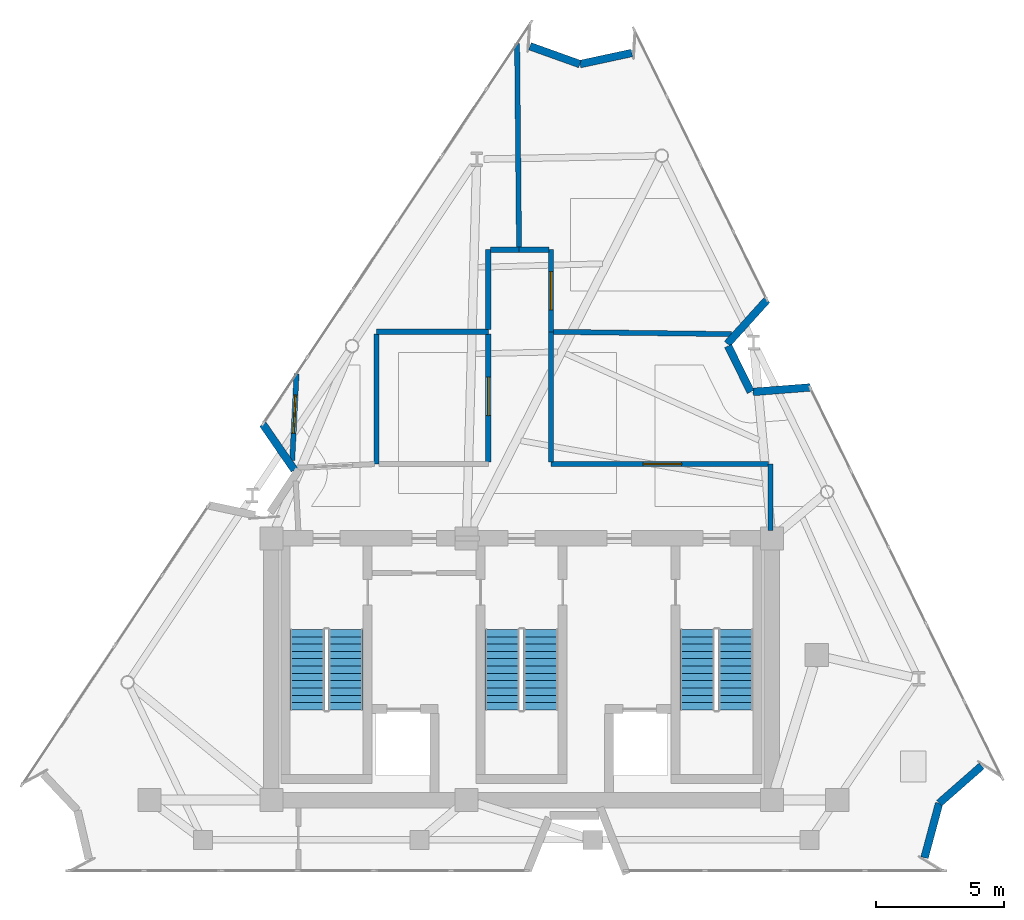
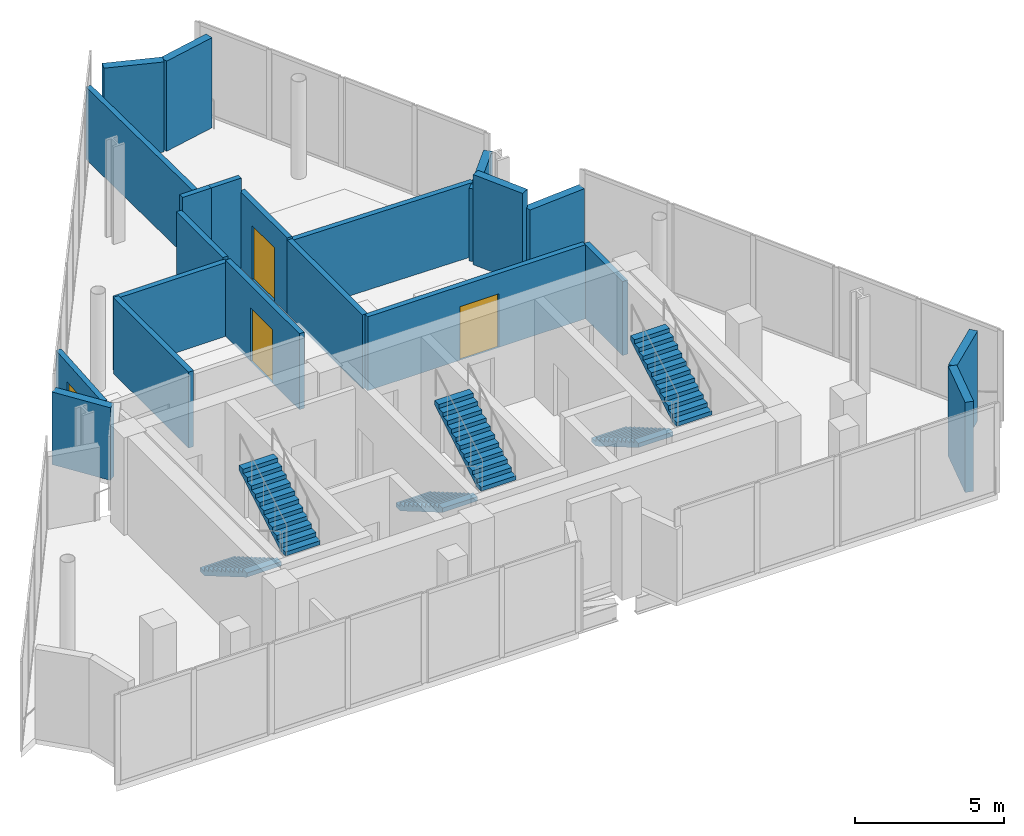
# One storey, part 7 of 9: 21 walls, 6 stair flights, 4 doors, 4 openings, 3 elements without a shape of their own.
"""IFC4 building model written with IfcOpenShell, lengths in metres."""

from ifc_helpers import new_model, si_unit, direction, frame, frame_2d, origin, place, context, subcontext, project, spatial, polyline, rectangle, outline, extrude, material, layer, layer_set, type_object, element, fill, aggregate, save


model = new_model("IFC4")

# Units and contexts
model_context = context("Model", 3, precision=1e-05, world=origin(), true_north=direction((0.0, 1.0)))
body_context = subcontext(model_context, "Body", "Model", "MODEL_VIEW")
ifc_project = project(units=[si_unit("LENGTHUNIT", "METRE"), si_unit("AREAUNIT", "SQUARE_METRE"), si_unit("VOLUMEUNIT", "CUBIC_METRE"), si_unit("PLANEANGLEUNIT", "RADIAN"), si_unit("MASSUNIT", "GRAM", prefix="KILO")], contexts=[model_context])

# Site, building, storey
site_placement = place(None, origin())
site = spatial("IfcSite", under=ifc_project, at=site_placement, CompositionType="ELEMENT")
building_placement = place(site_placement, origin())
building = spatial("IfcBuilding", under=site, at=building_placement, Name="Almagre Mirador Tower", CompositionType="ELEMENT")
storey_placement = place(building_placement, frame((0.0, 0.0, 302.5)))
storey = spatial("IfcBuildingStorey", under=building, at=storey_placement, Name="L78", CompositionType="ELEMENT", Elevation=302.5)

# Walls
ifc_material_1 = material(Name="Precast concrete C50/60", Category="concrete")
ifc_layer_1 = layer(ifc_material_1, 0.300048828125)
ifc_layer_set_1 = layer_set([ifc_layer_1], Name="Precast concrete C50/60")
wall_type_1 = type_object("IfcWallType", Name="WAL-EXT-300", PredefinedType="SOLIDWALL", material=ifc_layer_set_1)
wall_1_placement = place(storey_placement, frame((28.448486328125, 17.4140625, 0.0), z_axis=(0.0, 0.0, 1.0), x_axis=(-0.56781706626, 0.823154772363, 0.0)))
element("IfcWall", 1, at=wall_1_placement, inside=storey, type_object=wall_type_1, Name="L78 expressed almagre precast frame wall 03", PredefinedType="SOLIDWALL", context=body_context, shape_type="SweptSolid", body=[
    extrude(rectangle(XDim=2.17041015625, YDim=0.300048828125, at=frame_2d((1.085205078125, 0.0))), origin(), (0.0, 0.0, 1.0), 2.98193359375),
])
wall_2_placement = place(storey_placement, frame((37.6240234375, 33.927490234375, 0.0), z_axis=(0.0, 0.0, 1.0), x_axis=(0.941672407687, -0.336530944493, 0.0)))
element("IfcWall", 2, at=wall_2_placement, inside=storey, type_object=wall_type_1, Name="L78 expressed almagre precast frame wall 04", PredefinedType="SOLIDWALL", context=body_context, shape_type="SweptSolid", body=[
    extrude(rectangle(XDim=2.06689453125, YDim=0.300048828125, at=frame_2d((1.033447265625, 0.0))), origin(), (0.0, 0.0, 1.0), 3.699951171875),
])
wall_3_placement = place(storey_placement, frame((39.57568359375, 33.231689453125, 0.0), z_axis=(0.0, 0.0, 1.0), x_axis=(0.977608338725, 0.210432735227, 0.0)))
element("IfcWall", 3, at=wall_3_placement, inside=storey, type_object=wall_type_1, Name="L78 expressed almagre precast frame wall 05", PredefinedType="SOLIDWALL", context=body_context, shape_type="SweptSolid", body=[
    extrude(rectangle(XDim=2.06640625, YDim=0.300048828125, at=frame_2d((1.033203125, 0.0))), origin(), (0.0, 0.0, 1.0), 3.699951171875),
])
wall_4_placement = place(storey_placement, frame((46.86181640625, 24.042724609375, 0.0), z_axis=(0.0, 0.0, 1.0), x_axis=(-0.670758100891, -0.741676189512, 0.0)))
element("IfcWall", 4, at=wall_4_placement, inside=storey, type_object=wall_type_1, Name="L78 expressed almagre precast frame wall 06", PredefinedType="SOLIDWALL", context=body_context, shape_type="SweptSolid", body=[
    extrude(rectangle(XDim=2.306640625, YDim=0.300048828125, at=frame_2d((1.1533203125, 0.0))), origin(), (0.0, 0.0, 1.0), 2.98193359375),
])
wall_5_placement = place(storey_placement, frame((45.346923828125, 22.251708984375, 0.0), z_axis=(0.0, 0.0, 1.0), x_axis=(0.441098850586, -0.897458524954, 0.0)))
element("IfcWall", 5, at=wall_5_placement, inside=storey, type_object=wall_type_1, Name="L78 expressed almagre precast frame wall 07", PredefinedType="SOLIDWALL", context=body_context, shape_type="SweptSolid", body=[
    extrude(rectangle(XDim=1.999755859375, YDim=0.300048828125, at=frame_2d((1.0, 0.0))), origin(), (0.0, 0.0, 1.0), 3.699951171875),
])
wall_6_placement = place(storey_placement, frame((46.318603515625, 20.457763671875, 0.0), z_axis=(0.0, 0.0, 1.0), x_axis=(0.996897695967, 0.078708219233, 0.0)))
element("IfcWall", 6, at=wall_6_placement, inside=storey, type_object=wall_type_1, Name="L78 expressed almagre precast frame wall 08", PredefinedType="SOLIDWALL", context=body_context, shape_type="SweptSolid", body=[
    extrude(rectangle(XDim=2.22705078125, YDim=0.300048828125, at=frame_2d((1.113525390625, 0.0))), origin(), (0.0, 0.0, 1.0), 2.98193359375),
])
wall_7_placement = place(storey_placement, frame((55.227294921875, 5.884033203125, 0.0), z_axis=(0.0, 0.0, 1.0), x_axis=(-0.751785184768, -0.659408095161, 0.0)))
element("IfcWall", 7, at=wall_7_placement, inside=storey, type_object=wall_type_1, Name="L78 expressed almagre precast frame wall 09", PredefinedType="SOLIDWALL", context=body_context, shape_type="SweptSolid", body=[
    extrude(rectangle(XDim=2.198974609375, YDim=0.300048828125, at=frame_2d((1.099609375, 0.0))), origin(), (0.0, 0.0, 1.0), 3.699951171875),
])
wall_8_placement = place(storey_placement, frame((53.5712890625, 4.42919921875, 0.0), z_axis=(0.0, 0.0, 1.0), x_axis=(-0.259846037112, -0.965650059285, 0.0)))
element("IfcWall", 8, at=wall_8_placement, inside=storey, type_object=wall_type_1, Name="L78 expressed almagre precast frame wall 10", PredefinedType="SOLIDWALL", context=body_context, shape_type="SweptSolid", body=[
    extrude(rectangle(XDim=2.198486328125, YDim=0.300048828125, at=frame_2d((1.09912109375, 0.0))), origin(), (0.0, 0.0, 1.0), 3.699951171875),
])

# Wall, opening, door
ifc_material_2 = material(Name="Gypsum acoustic stud partition", Category="other")
ifc_layer_2 = layer(ifc_material_2, 0.199951171875)
ifc_layer_set_2 = layer_set([ifc_layer_2], Name="Gypsum acoustic stud partition")
wall_type_2 = type_object("IfcWallType", Name="WAL-PRT-200-EI60", PredefinedType="PARTITIONING", material=ifc_layer_set_2)
wall_9_placement = place(storey_placement, frame((28.362060546875, 17.794921875, 0.0), z_axis=(0.0, 0.0, 1.0), x_axis=(0.049461540964, 0.99877602893, 0.0)))
wall_9 = element("IfcWall", 9, at=wall_9_placement, inside=storey, type_object=wall_type_2, Name="L78 interior partition 001", PredefinedType="PARTITIONING", context=body_context, shape_type="SweptSolid", body=[
    extrude(rectangle(XDim=3.376220703125, YDim=0.199951171875, at=frame_2d((1.68798828125, 0.0))), origin(), (0.0, 0.0, 1.0), 2.97705078125),
])
opening_1_placement = place(wall_9_placement, frame((1.04638671875, 0.0, 0.0)))
opening_1 = element("IfcOpeningElement", 10, at=opening_1_placement, cuts=wall_9, Name="Opening ID-04", PredefinedType="OPENING", context=body_context, shape_type="SweptSolid", body=[
    extrude(rectangle(XDim=1.5, YDim=2.199951171875, at=frame_2d((0.75, 1.10009765625))), frame((0.0, 0.110098, 0.0), z_axis=(0.0, -1.0, 0.0), x_axis=(1.0, 0.0, 0.0)), (0.0, 0.0, 1.0), 0.219951),
])
ifc_material_3 = material(Name="Fire-rated hollow steel", Category="steel")
door_type = type_object("IfcDoorType", Name="DOR-FD60-1500X2200", OperationType="DOUBLE_DOOR_SINGLE_SWING", PredefinedType="DOOR", material=ifc_material_3)
door_1_placement = place(opening_1_placement, origin())
door_1 = element("IfcDoor", 11, at=door_1_placement, inside=storey, type_object=door_type, Name="DR-2308 L78 interior door L78-KPLT1 to L78-KPLT4", OperationType="DOUBLE_DOOR_SINGLE_SWING", OverallHeight=2.199951171875, OverallWidth=1.5, PredefinedType="DOOR", context=body_context, shape_type="SweptSolid", body=[
    extrude(rectangle(XDim=1.5, YDim=2.199951171875, at=frame_2d((0.75, 1.10009765625))), frame((0.0, 0.02490234375, 0.0), z_axis=(0.0, -1.0, 0.0), x_axis=(1.0, 0.0, 0.0)), (0.0, 0.0, 1.0), 0.050048828125),
])
fill(opening_1, door_1)

# Walls
wall_10_placement = place(storey_placement, frame((36.0, 22.800048828125, 0.0), z_axis=(0.0, 0.0, 1.0), x_axis=(-1.0, 0.0, 0.0)))
element("IfcWall", 12, at=wall_10_placement, inside=storey, type_object=wall_type_2, Name="L78 interior partition 002", PredefinedType="PARTITIONING", context=body_context, shape_type="SweptSolid", body=[
    extrude(rectangle(XDim=4.35009765625, YDim=0.199951171875, at=frame_2d((2.175048828125, 0.0))), origin(), (0.0, 0.0, 1.0), 3.034912109375),
])
wall_11_placement = place(storey_placement, frame((31.64990234375, 22.715087890625, 0.0), z_axis=(0.0, 0.0, 1.0), x_axis=(0.0, -1.0, 0.0)))
element("IfcWall", 13, at=wall_11_placement, inside=storey, type_object=wall_type_2, Name="L78 interior partition 003", PredefinedType="PARTITIONING", context=body_context, shape_type="SweptSolid", body=[
    extrude(rectangle(XDim=5.065185546875, YDim=0.199951171875, at=frame_2d((2.53271484375, 0.0))), origin(), (0.0, 0.0, 1.0), 3.12109375),
])

# Wall, opening, door
wall_12_placement = place(storey_placement, frame((36.0, 17.735107421875, 0.0), z_axis=(0.0, 0.0, 1.0), x_axis=(0.0, 1.0, 0.0)))
wall_12 = element("IfcWall", 14, at=wall_12_placement, inside=storey, type_object=wall_type_2, Name="L78 interior partition 005", PredefinedType="PARTITIONING", context=body_context, shape_type="SweptSolid", body=[
    extrude(rectangle(XDim=4.97998046875, YDim=0.199951171875, at=frame_2d((2.489990234375, 0.0))), origin(), (0.0, 0.0, 1.0), 3.12109375),
])
opening_2_placement = place(wall_12_placement, frame((1.798095703125, 0.0, 0.0)))
opening_2 = element("IfcOpeningElement", 15, at=opening_2_placement, cuts=wall_12, Name="Opening ID-04", PredefinedType="OPENING", context=body_context, shape_type="SweptSolid", body=[
    extrude(rectangle(XDim=1.5, YDim=2.199951171875, at=frame_2d((0.75, 1.10009765625))), frame((0.0, 0.110098, 0.0), z_axis=(0.0, -1.0, 0.0), x_axis=(1.0, 0.0, 0.0)), (0.0, 0.0, 1.0), 0.219951),
])
door_2_placement = place(opening_2_placement, origin())
door_2 = element("IfcDoor", 16, at=door_2_placement, inside=storey, type_object=door_type, Name="DR-2304 L78 interior door L78-KPLT2 to L78-KCOR", OperationType="DOUBLE_DOOR_SINGLE_SWING", OverallHeight=2.199951171875, OverallWidth=1.5, PredefinedType="DOOR", context=body_context, shape_type="SweptSolid", body=[
    extrude(rectangle(XDim=1.5, YDim=2.199951171875, at=frame_2d((0.75, 1.10009765625))), frame((0.0, 0.02490234375, 0.0), z_axis=(0.0, -1.0, 0.0), x_axis=(1.0, 0.0, 0.0)), (0.0, 0.0, 1.0), 0.050048828125),
])
fill(opening_2, door_2)

# Walls
wall_13_placement = place(storey_placement, frame((36.0, 22.885009765625, 0.0), z_axis=(0.0, 0.0, 1.0), x_axis=(0.0, 1.0, 0.0)))
element("IfcWall", 17, at=wall_13_placement, inside=storey, type_object=wall_type_2, Name="L78 interior partition 009", PredefinedType="PARTITIONING", context=body_context, shape_type="SweptSolid", body=[
    extrude(rectangle(XDim=3.114990234375, YDim=0.199951171875, at=frame_2d((1.5576171875, 0.0))), origin(), (0.0, 0.0, 1.0), 3.12109375),
])
wall_14_placement = place(storey_placement, frame((36.0849609375, 26.0, 0.0), z_axis=(0.0, 0.0, 1.0), x_axis=(1.0, 0.0, 0.0)))
element("IfcWall", 18, at=wall_14_placement, inside=storey, type_object=wall_type_2, Name="L78 interior partition 010", PredefinedType="PARTITIONING", context=body_context, shape_type="SweptSolid", body=[
    extrude(rectangle(XDim=1.114990234375, YDim=0.199951171875, at=frame_2d((0.5576171875, 0.0))), origin(), (0.0, 0.0, 1.0), 3.699951171875),
])
wall_15_placement = place(storey_placement, frame((37.19921875, 26.0849609375, 0.0), z_axis=(0.0, 0.0, 1.0), x_axis=(-0.009450909674, 0.999955339156, 0.0)))
element("IfcWall", 19, at=wall_15_placement, inside=storey, type_object=wall_type_2, Name="L78 interior partition 011", PredefinedType="PARTITIONING", context=body_context, shape_type="SweptSolid", body=[
    extrude(rectangle(XDim=7.956298828125, YDim=0.199951171875, at=frame_2d((3.97802734375, 0.0))), origin(), (0.0, 0.0, 1.0), 2.97705078125),
])

# Wall, opening, door
wall_16_placement = place(storey_placement, frame((38.449951171875, 22.800048828125, 0.0), z_axis=(0.0, 0.0, 1.0), x_axis=(0.0, 1.0, 0.0)))
wall_16 = element("IfcWall", 20, at=wall_16_placement, inside=storey, type_object=wall_type_2, Name="L78 interior partition 012", PredefinedType="PARTITIONING", context=body_context, shape_type="SweptSolid", body=[
    extrude(rectangle(XDim=3.199951171875, YDim=0.199951171875, at=frame_2d((1.60009765625, 0.0))), origin(), (0.0, 0.0, 1.0), 3.12109375),
])
opening_3_placement = place(wall_16_placement, frame((0.85009765625, 0.0, 0.0)))
opening_3 = element("IfcOpeningElement", 21, at=opening_3_placement, cuts=wall_16, Name="Opening ID-04", PredefinedType="OPENING", context=body_context, shape_type="SweptSolid", body=[
    extrude(rectangle(XDim=1.5, YDim=2.199951171875, at=frame_2d((0.75, 1.10009765625))), frame((0.0, 0.110098, 0.0), z_axis=(0.0, -1.0, 0.0), x_axis=(1.0, 0.0, 0.0)), (0.0, 0.0, 1.0), 0.219951),
])
door_3_placement = place(opening_3_placement, origin())
door_3 = element("IfcDoor", 22, at=door_3_placement, inside=storey, type_object=door_type, Name="DR-2306 L78 interior door L78-KCOR to L78-KPLT5", OperationType="DOUBLE_DOOR_SINGLE_SWING", OverallHeight=2.199951171875, OverallWidth=1.5, PredefinedType="DOOR", context=body_context, shape_type="SweptSolid", body=[
    extrude(rectangle(XDim=1.5, YDim=2.199951171875, at=frame_2d((0.75, 1.10009765625))), frame((0.0, 0.02490234375, 0.0), z_axis=(0.0, -1.0, 0.0), x_axis=(1.0, 0.0, 0.0)), (0.0, 0.0, 1.0), 0.050048828125),
])
fill(opening_3, door_3)

# Walls
wall_17_placement = place(storey_placement, frame((38.364990234375, 26.0, 0.0), z_axis=(0.0, 0.0, 1.0), x_axis=(-1.0, 0.0, 0.0)))
element("IfcWall", 23, at=wall_17_placement, inside=storey, type_object=wall_type_2, Name="L78 interior partition 013", PredefinedType="PARTITIONING", context=body_context, shape_type="SweptSolid", body=[
    extrude(rectangle(XDim=1.1650390625, YDim=0.199951171875, at=frame_2d((0.58251953125, 0.0))), origin(), (0.0, 0.0, 1.0), 3.699951171875),
])
wall_18_placement = place(storey_placement, frame((47.0, 15.050048828125, 0.0), z_axis=(0.0, 0.0, 1.0), x_axis=(0.0, 1.0, 0.0)))
element("IfcWall", 24, at=wall_18_placement, inside=storey, type_object=wall_type_2, Name="L78 interior partition 015", PredefinedType="PARTITIONING", context=body_context, shape_type="SweptSolid", body=[
    extrude(rectangle(XDim=2.599853515625, YDim=0.199951171875, at=frame_2d((1.2998046875, 0.0))), origin(), (0.0, 0.0, 1.0), 3.034912109375),
])

# Wall, opening, door
wall_19_placement = place(storey_placement, frame((46.9150390625, 17.64990234375, 0.0), z_axis=(0.0, 0.0, 1.0), x_axis=(-1.0, 0.0, 0.0)))
wall_19 = element("IfcWall", 25, at=wall_19_placement, inside=storey, type_object=wall_type_2, Name="L78 interior partition 016", PredefinedType="PARTITIONING", context=body_context, shape_type="SweptSolid", body=[
    extrude(rectangle(XDim=8.465087890625, YDim=0.199951171875, at=frame_2d((4.232421875, 0.0))), origin(), (0.0, 0.0, 1.0), 3.034912109375),
])
opening_4_placement = place(wall_19_placement, frame((3.380615234375, 0.0, 0.0)))
opening_4 = element("IfcOpeningElement", 26, at=opening_4_placement, cuts=wall_19, Name="Opening ID-04", PredefinedType="OPENING", context=body_context, shape_type="SweptSolid", body=[
    extrude(rectangle(XDim=1.5, YDim=2.199951171875, at=frame_2d((0.75, 1.10009765625))), frame((0.0, 0.110098, 0.0), z_axis=(0.0, -1.0, 0.0), x_axis=(1.0, 0.0, 0.0)), (0.0, 0.0, 1.0), 0.219951),
])
door_4_placement = place(opening_4_placement, origin())
door_4 = element("IfcDoor", 27, at=door_4_placement, inside=storey, type_object=door_type, Name="DR-2307 L78 interior door L78-KCOR to L78-KPLT7", OperationType="DOUBLE_DOOR_SINGLE_SWING", OverallHeight=2.199951171875, OverallWidth=1.5, PredefinedType="DOOR", context=body_context, shape_type="SweptSolid", body=[
    extrude(rectangle(XDim=1.5, YDim=2.199951171875, at=frame_2d((0.75, 1.10009765625))), frame((0.0, 0.02490234375, 0.0), z_axis=(0.0, -1.0, 0.0), x_axis=(1.0, 0.0, 0.0)), (0.0, 0.0, 1.0), 0.050048828125),
])
fill(opening_4, door_4)

# Walls
wall_20_placement = place(storey_placement, frame((38.449951171875, 17.735107421875, 0.0), z_axis=(0.0, 0.0, 1.0), x_axis=(0.0, 1.0, 0.0)))
element("IfcWall", 28, at=wall_20_placement, inside=storey, type_object=wall_type_2, Name="L78 interior partition 017", PredefinedType="PARTITIONING", context=body_context, shape_type="SweptSolid", body=[
    extrude(rectangle(XDim=5.06494140625, YDim=0.199951171875, at=frame_2d((2.532470703125, 0.0))), origin(), (0.0, 0.0, 1.0), 3.034912109375),
])
wall_21_placement = place(storey_placement, frame((38.534912109375, 22.79931640625, 0.0), z_axis=(0.0, 0.0, 1.0), x_axis=(0.999915376754, -0.013009201779, 0.0)))
element("IfcWall", 29, at=wall_21_placement, inside=storey, type_object=wall_type_2, Name="L78 interior partition 018", PredefinedType="PARTITIONING", context=body_context, shape_type="SweptSolid", body=[
    extrude(rectangle(XDim=6.943603515625, YDim=0.199951171875, at=frame_2d((3.4716796875, 0.0))), origin(), (0.0, 0.0, 1.0), 3.034912109375),
])

# Stair, stair flights
ifc_material_4 = material(Name="Concrete C45/55", Category="concrete")
stair_type = type_object("IfcStairType", Name="STR-DL-4000", PredefinedType="HALF_TURN_STAIR", material=ifc_material_4)
stair_1_placement = place(storey_placement, origin())
stair_1 = element("IfcStair", 30, at=stair_1_placement, inside=storey, type_object=stair_type, Name="L78 Protected exit stair ST-1", PredefinedType="HALF_TURN_STAIR")
ifc_material_5 = material(Name="Concrete C45/55", Category="concrete")
stair_flight_type = type_object("IfcStairFlightType", Name="FLT-DL-4000", PredefinedType="STRAIGHT", material=ifc_material_5)
stair_flight_1_placement = place(storey_placement, frame((28.949951171875, 11.199951171875, 0.0), z_axis=(0.0, 0.0, 1.0), x_axis=(0.0, -1.0, 0.0)))
stair_flight_1 = element("IfcStairFlight", 31, at=stair_flight_1_placement, type_object=stair_flight_type, Name="ST-1 flight 1", NumberOfRisers=12, NumberOfTreads=11, PredefinedType="STRAIGHT", RiserHeight=0.166666667, TreadLength=0.285, context=body_context, shape_type="SweptSolid", body=[
    extrude(outline(polyline([(0.0, 0.0), (0.0, 0.166748046875), (0.284912109375, 0.166748046875), (0.284912109375, 0.333251953125), (0.570068359375, 0.333251953125), (0.570068359375, 0.5), (0.85498046875, 0.5), (0.85498046875, 0.666748046875), (1.139892578125, 0.666748046875), (1.139892578125, 0.833251953125), (1.425048828125, 0.833251953125), (1.425048828125, 1.0), (1.7099609375, 1.0), (1.7099609375, 1.166748046875), (1.9951171875, 1.166748046875), (1.9951171875, 1.333251953125), (2.280029296875, 1.333251953125), (2.280029296875, 1.5), (2.56494140625, 1.5), (2.56494140625, 1.666748046875), (2.85009765625, 1.666748046875), (2.85009765625, 1.833251953125), (3.135009765625, 1.833251953125), (3.135009765625, 2.0), (3.135009765625, 1.65966796875), (0.296875, 0.0), (0.0, 0.0)])), frame((0.0, 0.675048828125, 0.0), z_axis=(0.0, -1.0, 0.0), x_axis=(1.0, 0.0, 0.0)), (0.0, 0.0, 1.0), 1.35009765625),
])
stair_flight_2_placement = place(storey_placement, frame((30.449951171875, 8.06494140625, 2.0), z_axis=(0.0, 0.0, 1.0), x_axis=(0.0, 1.0, 0.0)))
stair_flight_2 = element("IfcStairFlight", 32, at=stair_flight_2_placement, type_object=stair_flight_type, Name="ST-1 flight 2", NumberOfRisers=12, NumberOfTreads=11, PredefinedType="STRAIGHT", RiserHeight=0.166666667, TreadLength=0.285, context=body_context, shape_type="SweptSolid", body=[
    extrude(outline(polyline([(0.0, 0.0), (0.0, 0.166748046875), (0.284912109375, 0.166748046875), (0.284912109375, 0.333251953125), (0.570068359375, 0.333251953125), (0.570068359375, 0.5), (0.85498046875, 0.5), (0.85498046875, 0.666748046875), (1.139892578125, 0.666748046875), (1.139892578125, 0.833251953125), (1.425048828125, 0.833251953125), (1.425048828125, 1.0), (1.7099609375, 1.0), (1.7099609375, 1.166748046875), (1.9951171875, 1.166748046875), (1.9951171875, 1.333251953125), (2.280029296875, 1.333251953125), (2.280029296875, 1.5), (2.56494140625, 1.5), (2.56494140625, 1.666748046875), (2.85009765625, 1.666748046875), (2.85009765625, 1.833251953125), (3.135009765625, 1.833251953125), (3.135009765625, 2.0), (3.135009765625, 1.65966796875), (0.296875, 0.0), (0.0, 0.0)])), frame((0.0, 0.675048828125, 0.0), z_axis=(0.0, -1.0, 0.0), x_axis=(1.0, 0.0, 0.0)), (0.0, 0.0, 1.0), 1.35009765625),
])
aggregate(stair_1, [stair_flight_1, stair_flight_2])

stair_2_placement = place(storey_placement, origin())
stair_2 = element("IfcStair", 33, at=stair_2_placement, inside=storey, type_object=stair_type, Name="L78 Protected exit stair ST-2", PredefinedType="HALF_TURN_STAIR")
stair_flight_3_placement = place(storey_placement, frame((36.550048828125, 11.199951171875, 0.0), z_axis=(0.0, 0.0, 1.0), x_axis=(0.0, -1.0, 0.0)))
stair_flight_3 = element("IfcStairFlight", 34, at=stair_flight_3_placement, type_object=stair_flight_type, Name="ST-2 flight 1", NumberOfRisers=12, NumberOfTreads=11, PredefinedType="STRAIGHT", RiserHeight=0.166666667, TreadLength=0.285, context=body_context, shape_type="SweptSolid", body=[
    extrude(outline(polyline([(0.0, 0.0), (0.0, 0.166748046875), (0.284912109375, 0.166748046875), (0.284912109375, 0.333251953125), (0.570068359375, 0.333251953125), (0.570068359375, 0.5), (0.85498046875, 0.5), (0.85498046875, 0.666748046875), (1.139892578125, 0.666748046875), (1.139892578125, 0.833251953125), (1.425048828125, 0.833251953125), (1.425048828125, 1.0), (1.7099609375, 1.0), (1.7099609375, 1.166748046875), (1.9951171875, 1.166748046875), (1.9951171875, 1.333251953125), (2.280029296875, 1.333251953125), (2.280029296875, 1.5), (2.56494140625, 1.5), (2.56494140625, 1.666748046875), (2.85009765625, 1.666748046875), (2.85009765625, 1.833251953125), (3.135009765625, 1.833251953125), (3.135009765625, 2.0), (3.135009765625, 1.65966796875), (0.296875, 0.0), (0.0, 0.0)])), frame((0.0, 0.675048828125, 0.0), z_axis=(0.0, -1.0, 0.0), x_axis=(1.0, 0.0, 0.0)), (0.0, 0.0, 1.0), 1.35009765625),
])
stair_flight_4_placement = place(storey_placement, frame((38.050048828125, 8.06494140625, 2.0), z_axis=(0.0, 0.0, 1.0), x_axis=(0.0, 1.0, 0.0)))
stair_flight_4 = element("IfcStairFlight", 35, at=stair_flight_4_placement, type_object=stair_flight_type, Name="ST-2 flight 2", NumberOfRisers=12, NumberOfTreads=11, PredefinedType="STRAIGHT", RiserHeight=0.166666667, TreadLength=0.285, context=body_context, shape_type="SweptSolid", body=[
    extrude(outline(polyline([(0.0, 0.0), (0.0, 0.166748046875), (0.284912109375, 0.166748046875), (0.284912109375, 0.333251953125), (0.570068359375, 0.333251953125), (0.570068359375, 0.5), (0.85498046875, 0.5), (0.85498046875, 0.666748046875), (1.139892578125, 0.666748046875), (1.139892578125, 0.833251953125), (1.425048828125, 0.833251953125), (1.425048828125, 1.0), (1.7099609375, 1.0), (1.7099609375, 1.166748046875), (1.9951171875, 1.166748046875), (1.9951171875, 1.333251953125), (2.280029296875, 1.333251953125), (2.280029296875, 1.5), (2.56494140625, 1.5), (2.56494140625, 1.666748046875), (2.85009765625, 1.666748046875), (2.85009765625, 1.833251953125), (3.135009765625, 1.833251953125), (3.135009765625, 2.0), (3.135009765625, 1.65966796875), (0.296875, 0.0), (0.0, 0.0)])), frame((0.0, 0.675048828125, 0.0), z_axis=(0.0, -1.0, 0.0), x_axis=(1.0, 0.0, 0.0)), (0.0, 0.0, 1.0), 1.35009765625),
])
aggregate(stair_2, [stair_flight_3, stair_flight_4])

stair_3_placement = place(storey_placement, origin())
stair_3 = element("IfcStair", 36, at=stair_3_placement, inside=storey, type_object=stair_type, Name="L78 Protected exit stair ST-3", PredefinedType="HALF_TURN_STAIR")
stair_flight_5_placement = place(storey_placement, frame((44.14990234375, 11.199951171875, 0.0), z_axis=(0.0, 0.0, 1.0), x_axis=(0.0, -1.0, 0.0)))
stair_flight_5 = element("IfcStairFlight", 37, at=stair_flight_5_placement, type_object=stair_flight_type, Name="ST-3 flight 1", NumberOfRisers=12, NumberOfTreads=11, PredefinedType="STRAIGHT", RiserHeight=0.166666667, TreadLength=0.285, context=body_context, shape_type="SweptSolid", body=[
    extrude(outline(polyline([(0.0, 0.0), (0.0, 0.166748046875), (0.284912109375, 0.166748046875), (0.284912109375, 0.333251953125), (0.570068359375, 0.333251953125), (0.570068359375, 0.5), (0.85498046875, 0.5), (0.85498046875, 0.666748046875), (1.139892578125, 0.666748046875), (1.139892578125, 0.833251953125), (1.425048828125, 0.833251953125), (1.425048828125, 1.0), (1.7099609375, 1.0), (1.7099609375, 1.166748046875), (1.9951171875, 1.166748046875), (1.9951171875, 1.333251953125), (2.280029296875, 1.333251953125), (2.280029296875, 1.5), (2.56494140625, 1.5), (2.56494140625, 1.666748046875), (2.85009765625, 1.666748046875), (2.85009765625, 1.833251953125), (3.135009765625, 1.833251953125), (3.135009765625, 2.0), (3.135009765625, 1.65966796875), (0.296875, 0.0), (0.0, 0.0)])), frame((0.0, 0.675048828125, 0.0), z_axis=(0.0, -1.0, 0.0), x_axis=(1.0, 0.0, 0.0)), (0.0, 0.0, 1.0), 1.35009765625),
])
stair_flight_6_placement = place(storey_placement, frame((45.64990234375, 8.06494140625, 2.0), z_axis=(0.0, 0.0, 1.0), x_axis=(0.0, 1.0, 0.0)))
stair_flight_6 = element("IfcStairFlight", 38, at=stair_flight_6_placement, type_object=stair_flight_type, Name="ST-3 flight 2", NumberOfRisers=12, NumberOfTreads=11, PredefinedType="STRAIGHT", RiserHeight=0.166666667, TreadLength=0.285, context=body_context, shape_type="SweptSolid", body=[
    extrude(outline(polyline([(0.0, 0.0), (0.0, 0.166748046875), (0.284912109375, 0.166748046875), (0.284912109375, 0.333251953125), (0.570068359375, 0.333251953125), (0.570068359375, 0.5), (0.85498046875, 0.5), (0.85498046875, 0.666748046875), (1.139892578125, 0.666748046875), (1.139892578125, 0.833251953125), (1.425048828125, 0.833251953125), (1.425048828125, 1.0), (1.7099609375, 1.0), (1.7099609375, 1.166748046875), (1.9951171875, 1.166748046875), (1.9951171875, 1.333251953125), (2.280029296875, 1.333251953125), (2.280029296875, 1.5), (2.56494140625, 1.5), (2.56494140625, 1.666748046875), (2.85009765625, 1.666748046875), (2.85009765625, 1.833251953125), (3.135009765625, 1.833251953125), (3.135009765625, 2.0), (3.135009765625, 1.65966796875), (0.296875, 0.0), (0.0, 0.0)])), frame((0.0, 0.675048828125, 0.0), z_axis=(0.0, -1.0, 0.0), x_axis=(1.0, 0.0, 0.0)), (0.0, 0.0, 1.0), 1.35009765625),
])
aggregate(stair_3, [stair_flight_5, stair_flight_6])

save(model, "model.ifc")
